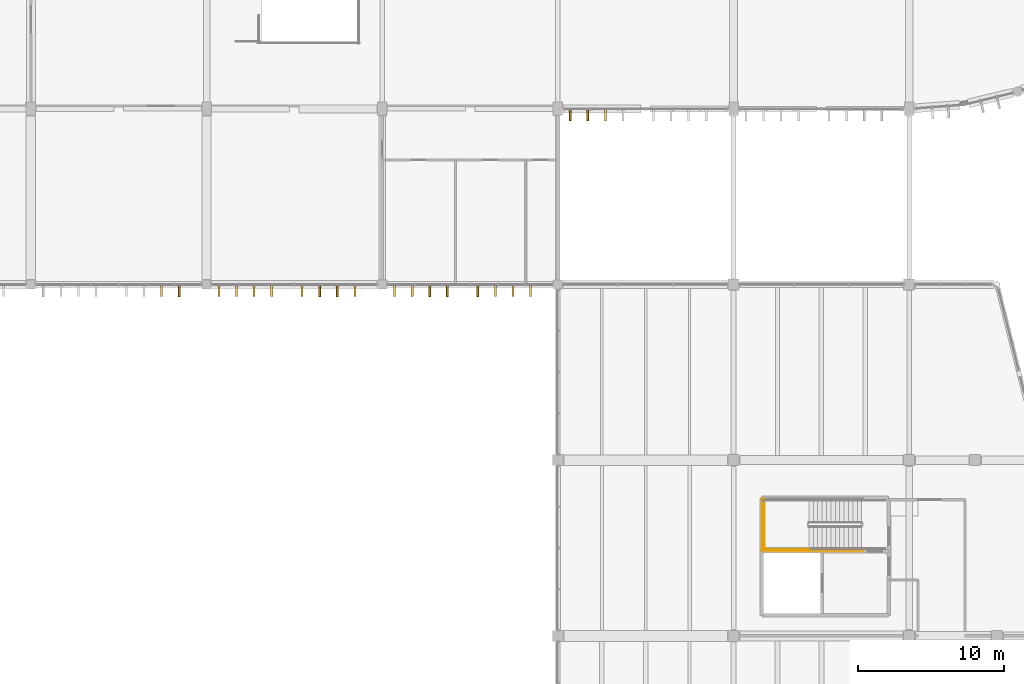
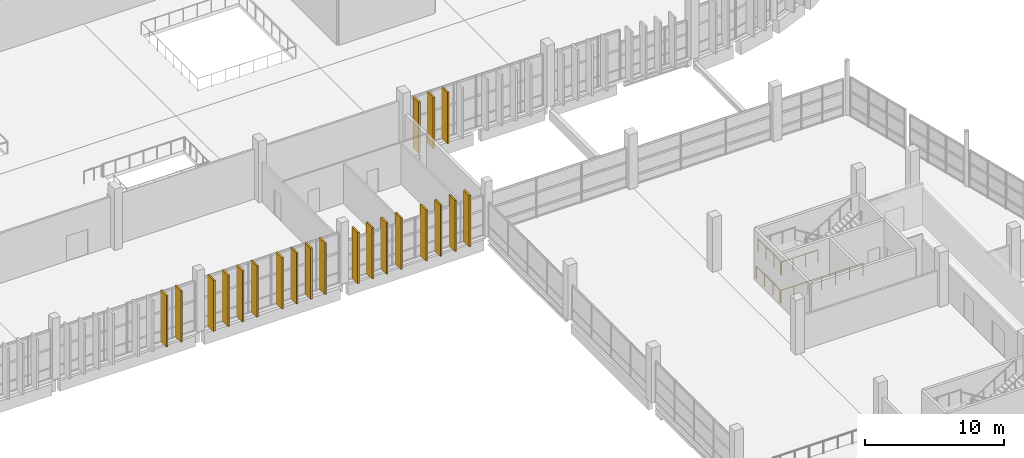
# One storey, part 107 of 112: 21 coverings, 4 railings.
"""IFC4 building model written with IfcOpenShell, lengths in metres."""

from ifc_helpers import new_model, si_unit, direction, frame, origin, origin_2d, place, context, subcontext, project, spatial, rectangle, circle, extrude, material, layer, layer_set, type_object, element, save


model = new_model("IFC4")

# Units and contexts
model_context = context("Model", 3, precision=1e-05, world=origin(), true_north=direction((0.0, 1.0)))
body_context = subcontext(model_context, "Body", "Model", "MODEL_VIEW")
ifc_project = project(units=[si_unit("LENGTHUNIT", "METRE"), si_unit("AREAUNIT", "SQUARE_METRE"), si_unit("VOLUMEUNIT", "CUBIC_METRE"), si_unit("PLANEANGLEUNIT", "RADIAN"), si_unit("MASSUNIT", "GRAM", prefix="KILO")], contexts=[model_context])

# Site, building, storey
site_placement = place(None, origin())
site = spatial("IfcSite", under=ifc_project, at=site_placement, CompositionType="ELEMENT")
building_placement = place(site_placement, origin())
building = spatial("IfcBuilding", under=site, at=building_placement, Name="Kamomehara Wholesale Market", CompositionType="ELEMENT")
storey_placement = place(building_placement, frame((0.0, 0.0, 6.60009765625)))
storey = spatial("IfcBuildingStorey", under=building, at=storey_placement, Name="L01", CompositionType="ELEMENT", Elevation=6.60009765625)

# Coverings
ifc_material_1 = material(Name="Anodised aluminium 6063-T5 Spectrum Red", Category="aluminium")
ifc_layer_1 = layer(ifc_material_1, 0.134033203125)
ifc_layer_set_1 = layer_set([ifc_layer_1], Name="Anodised aluminium 6063-T5 Spectrum Red")
covering_type_1 = type_object("IfcCoveringType", Name="COV-CLD-01", PredefinedType="CLADDING", material=ifc_layer_set_1)
for number, where, z_axis, x_axis, name in (
    (1, (130.1298828125, 95.594970703125, 0.0), (0.0, 0.0, 1.0), (1.0, 0.0, 0.0), "Polychrome spectrum fin S 92"),
    (2, (139.72998046875, 95.594970703125, 0.0), (0.0, 0.0, 1.0), (1.0, 0.0, 0.0), "Polychrome spectrum fin S 106"),
    (3, (147.25, 95.594970703125, 0.0), (0.0, 0.0, 1.0), (1.0, 0.0, 0.0), "Polychrome spectrum fin S 127"),
    (4, (156.85009765625, 107.594970703125, 0.0), (0.0, 0.0, 1.0), (1.0, 0.0, 0.0), "Polychrome spectrum fin S 141"),
):
    element("IfcCovering", number, at=place(storey_placement, frame(where, z_axis=z_axis, x_axis=x_axis)), inside=storey, type_object=covering_type_1, Name=name, PredefinedType="CLADDING", context=body_context, shape_type="SweptSolid", body=[
        extrude(rectangle(XDim=0.134033203125, YDim=0.85009765625, at=origin_2d()), origin(), (0.0, 0.0, 1.0), 4.5),
    ])
ifc_material_2 = material(Name="Anodised aluminium 6063-T5 Spectrum Orange", Category="aluminium")
ifc_layer_2 = layer(ifc_material_2, 0.135986328125)
ifc_layer_set_2 = layer_set([ifc_layer_2], Name="Anodised aluminium 6063-T5 Spectrum Orange")
covering_type_2 = type_object("IfcCoveringType", Name="COV-CLD-02", PredefinedType="CLADDING", material=ifc_layer_set_2)
for number, where, z_axis, x_axis, name in (
    (5, (140.929931640625, 95.594970703125, 0.0), (0.0, 0.0, 1.0), (1.0, 0.0, 0.0), "Polychrome spectrum fin S 107"),
    (6, (150.530029296875, 95.594970703125, 0.0), (0.0, 0.0, 1.0), (1.0, 0.0, 0.0), "Polychrome spectrum fin S 121"),
    (7, (148.449951171875, 95.594970703125, 0.0), (0.0, 0.0, 1.0), (1.0, 0.0, 0.0), "Polychrome spectrum fin S 128"),
    (8, (158.050048828125, 107.594970703125, 0.0), (0.0, 0.0, 1.0), (1.0, 0.0, 0.0), "Polychrome spectrum fin S 142"),
):
    element("IfcCovering", number, at=place(storey_placement, frame(where, z_axis=z_axis, x_axis=x_axis)), inside=storey, type_object=covering_type_2, Name=name, PredefinedType="CLADDING", context=body_context, shape_type="SweptSolid", body=[
        extrude(rectangle(XDim=0.135986328125, YDim=0.85009765625, at=origin_2d()), origin(), (0.0, 0.0, 1.0), 4.5),
    ])
ifc_material_3 = material(Name="Anodised aluminium 6063-T5 Spectrum Amber", Category="aluminium")
ifc_layer_3 = layer(ifc_material_3, 0.137939453125)
ifc_layer_set_3 = layer_set([ifc_layer_3], Name="Anodised aluminium 6063-T5 Spectrum Amber")
covering_type_3 = type_object("IfcCoveringType", Name="COV-CLD-03", PredefinedType="CLADDING", material=ifc_layer_set_3)
for number, where, z_axis, x_axis, name in (
    (9, (142.1298828125, 95.594970703125, 0.0), (0.0, 0.0, 1.0), (1.0, 0.0, 0.0), "Polychrome spectrum fin S 108"),
    (10, (151.72998046875, 95.594970703125, 0.0), (0.0, 0.0, 1.0), (1.0, 0.0, 0.0), "Polychrome spectrum fin S 122"),
    (11, (159.25, 107.594970703125, 0.0), (0.0, 0.0, 1.0), (1.0, 0.0, 0.0), "Polychrome spectrum fin S 143"),
):
    element("IfcCovering", number, at=place(storey_placement, frame(where, z_axis=z_axis, x_axis=x_axis)), inside=storey, type_object=covering_type_3, Name=name, PredefinedType="CLADDING", context=body_context, shape_type="SweptSolid", body=[
        extrude(rectangle(XDim=0.137939453125, YDim=0.85009765625, at=origin_2d()), origin(), (0.0, 0.0, 1.0), 4.5),
    ])
ifc_material_4 = material(Name="Anodised aluminium 6063-T5 Spectrum Green", Category="aluminium")
ifc_layer_4 = layer(ifc_material_4, 0.139892578125)
ifc_layer_set_4 = layer_set([ifc_layer_4], Name="Anodised aluminium 6063-T5 Spectrum Green")
covering_type_4 = type_object("IfcCoveringType", Name="COV-CLD-04", PredefinedType="CLADDING", material=ifc_layer_set_4)
for number, where, z_axis, x_axis, name in (
    (12, (132.85009765625, 95.594970703125, 0.0), (0.0, 0.0, 1.0), (1.0, 0.0, 0.0), "Polychrome spectrum fin S 109"),
    (13, (152.929931640625, 95.594970703125, 0.0), (0.0, 0.0, 1.0), (1.0, 0.0, 0.0), "Polychrome spectrum fin S 123"),
):
    element("IfcCovering", number, at=place(storey_placement, frame(where, z_axis=z_axis, x_axis=x_axis)), inside=storey, type_object=covering_type_4, Name=name, PredefinedType="CLADDING", context=body_context, shape_type="SweptSolid", body=[
        extrude(rectangle(XDim=0.139892578125, YDim=0.85009765625, at=origin_2d()), origin(), (0.0, 0.0, 1.0), 4.5),
    ])
ifc_material_5 = material(Name="Anodised aluminium 6063-T5 Spectrum Cyan", Category="aluminium")
ifc_layer_5 = layer(ifc_material_5, 0.14208984375)
ifc_layer_set_5 = layer_set([ifc_layer_5], Name="Anodised aluminium 6063-T5 Spectrum Cyan")
covering_type_5 = type_object("IfcCoveringType", Name="COV-CLD-05", PredefinedType="CLADDING", material=ifc_layer_set_5)
for number, where, z_axis, x_axis, name in (
    (14, (134.050048828125, 95.594970703125, 0.0), (0.0, 0.0, 1.0), (1.0, 0.0, 0.0), "Polychrome spectrum fin S 110"),
    (15, (154.1298828125, 95.594970703125, 0.0), (0.0, 0.0, 1.0), (1.0, 0.0, 0.0), "Polychrome spectrum fin S 124"),
):
    element("IfcCovering", number, at=place(storey_placement, frame(where, z_axis=z_axis, x_axis=x_axis)), inside=storey, type_object=covering_type_5, Name=name, PredefinedType="CLADDING", context=body_context, shape_type="SweptSolid", body=[
        extrude(rectangle(XDim=0.14208984375, YDim=0.85009765625, at=origin_2d()), origin(), (0.0, 0.0, 1.0), 4.5),
    ])
ifc_material_6 = material(Name="Anodised aluminium 6063-T5 Spectrum Blue", Category="aluminium")
ifc_layer_6 = layer(ifc_material_6, 0.14404296875)
ifc_layer_set_6 = layer_set([ifc_layer_6], Name="Anodised aluminium 6063-T5 Spectrum Blue")
covering_type_6 = type_object("IfcCoveringType", Name="COV-CLD-06", PredefinedType="CLADDING", material=ifc_layer_set_6)
for number, where, z_axis, x_axis, name in (
    (16, (135.25, 95.594970703125, 0.0), (0.0, 0.0, 1.0), (1.0, 0.0, 0.0), "Polychrome spectrum fin S 111"),
    (17, (144.85009765625, 95.594970703125, 0.0), (0.0, 0.0, 1.0), (1.0, 0.0, 0.0), "Polychrome spectrum fin S 125"),
):
    element("IfcCovering", number, at=place(storey_placement, frame(where, z_axis=z_axis, x_axis=x_axis)), inside=storey, type_object=covering_type_6, Name=name, PredefinedType="CLADDING", context=body_context, shape_type="SweptSolid", body=[
        extrude(rectangle(XDim=0.14404296875, YDim=0.85009765625, at=origin_2d()), origin(), (0.0, 0.0, 1.0), 4.5),
    ])
ifc_material_7 = material(Name="Anodised aluminium 6063-T5 Spectrum Violet", Category="aluminium")
ifc_layer_7 = layer(ifc_material_7, 0.14599609375)
ifc_layer_set_7 = layer_set([ifc_layer_7], Name="Anodised aluminium 6063-T5 Spectrum Violet")
covering_type_7 = type_object("IfcCoveringType", Name="COV-CLD-07", PredefinedType="CLADDING", material=ifc_layer_set_7)
for number, where, z_axis, x_axis, name in (
    (18, (128.929931640625, 95.594970703125, 0.0), (0.0, 0.0, 1.0), (1.0, 0.0, 0.0), "Polychrome spectrum fin S 91"),
    (19, (138.530029296875, 95.594970703125, 0.0), (0.0, 0.0, 1.0), (1.0, 0.0, 0.0), "Polychrome spectrum fin S 105"),
    (20, (136.449951171875, 95.594970703125, 0.0), (0.0, 0.0, 1.0), (1.0, 0.0, 0.0), "Polychrome spectrum fin S 112"),
    (21, (146.050048828125, 95.594970703125, 0.0), (0.0, 0.0, 1.0), (1.0, 0.0, 0.0), "Polychrome spectrum fin S 126"),
):
    element("IfcCovering", number, at=place(storey_placement, frame(where, z_axis=z_axis, x_axis=x_axis)), inside=storey, type_object=covering_type_7, Name=name, PredefinedType="CLADDING", context=body_context, shape_type="SweptSolid", body=[
        extrude(rectangle(XDim=0.14599609375, YDim=0.85009765625, at=origin_2d()), origin(), (0.0, 0.0, 1.0), 4.5),
    ])

# Railings
ifc_material_8 = material(Name="Steel SN400B", Category="steel")
railing_type = type_object("IfcRailingType", Name="RAL-INT-1100", PredefinedType="BALUSTRADE", material=ifc_material_8)
railing_1_placement = place(storey_placement, frame((173.14990234375, 77.949951171875, 2.39990234375)))
element("IfcRailing", 22, at=railing_1_placement, inside=storey, type_object=railing_type, Name="L01 ST-09 stair guard 4", PredefinedType="BALUSTRADE", context=body_context, shape_type="SweptSolid", body=[
    extrude(circle(Radius=0.02392578125, at=origin_2d()), frame((0.0, 0.0, 1.09619140625), z_axis=(-1.0, 0.0, 0.0), x_axis=(0.0, -1.0, 0.0)), (0.0, 0.0, 1.0), 3.099853515625),
    extrude(circle(Radius=0.02099609375, at=origin_2d()), origin(), (0.0, 0.0, 1.0), 1.072021484375),
    extrude(circle(Radius=0.02099609375, at=origin_2d()), frame((-1.033203125, 0.0, 0.0)), (0.0, 0.0, 1.0), 1.072021484375),
    extrude(circle(Radius=0.02099609375, at=origin_2d()), frame((-2.066650390625, 0.0, 0.0)), (0.0, 0.0, 1.0), 1.072021484375),
    extrude(circle(Radius=0.02099609375, at=origin_2d()), frame((-3.099853515625, 0.0, 0.0)), (0.0, 0.0, 1.0), 1.072021484375),
])
railing_2_placement = place(storey_placement, frame((170.10009765625, 81.300048828125, 2.39990234375)))
element("IfcRailing", 23, at=railing_2_placement, inside=storey, type_object=railing_type, Name="L01 ST-09 stair guard 5", PredefinedType="BALUSTRADE", context=body_context, shape_type="SweptSolid", body=[
    extrude(circle(Radius=0.02392578125, at=origin_2d()), frame((0.0, 0.0, 1.09619140625), z_axis=(0.0, -1.0, 0.0), x_axis=(1.0, 0.0, 0.0)), (0.0, 0.0, 1.0), 3.400146484375),
    extrude(circle(Radius=0.02099609375, at=origin_2d()), origin(), (0.0, 0.0, 1.0), 1.072021484375),
    extrude(circle(Radius=0.02099609375, at=origin_2d()), frame((0.0, -1.13330078125, 0.0)), (0.0, 0.0, 1.0), 1.072021484375),
    extrude(circle(Radius=0.02099609375, at=origin_2d()), frame((0.0, -2.266845703125, 0.0)), (0.0, 0.0, 1.0), 1.072021484375),
    extrude(circle(Radius=0.02099609375, at=origin_2d()), frame((0.0, -3.400146484375, 0.0)), (0.0, 0.0, 1.0), 1.072021484375),
])
railing_3_placement = place(storey_placement, frame((176.85009765625, 77.85009765625, 0.0)))
element("IfcRailing", 24, at=railing_3_placement, inside=storey, type_object=railing_type, Name="L01 ST-09 stair guard 11", PredefinedType="BALUSTRADE", context=body_context, shape_type="SweptSolid", body=[
    extrude(circle(Radius=0.02392578125, at=origin_2d()), frame((0.0, 0.0, 1.09619140625), z_axis=(-1.0, 0.0, 0.0), x_axis=(0.0, -1.0, 0.0)), (0.0, 0.0, 1.0), 6.900146484375),
    extrude(circle(Radius=0.02099609375, at=origin_2d()), origin(), (0.0, 0.0, 1.0), 1.072021484375),
    extrude(circle(Radius=0.02099609375, at=origin_2d()), frame((-1.14990234375, 0.0, 0.0)), (0.0, 0.0, 1.0), 1.072021484375),
    extrude(circle(Radius=0.02099609375, at=origin_2d()), frame((-2.300048828125, 0.0, 0.0)), (0.0, 0.0, 1.0), 1.072021484375),
    extrude(circle(Radius=0.02099609375, at=origin_2d()), frame((-3.4501953125, 0.0, 0.0)), (0.0, 0.0, 1.0), 1.072021484375),
    extrude(circle(Radius=0.02099609375, at=origin_2d()), frame((-4.60009765625, 0.0, 0.0)), (0.0, 0.0, 1.0), 1.072021484375),
    extrude(circle(Radius=0.02099609375, at=origin_2d()), frame((-5.75, 0.0, 0.0)), (0.0, 0.0, 1.0), 1.072021484375),
    extrude(circle(Radius=0.02099609375, at=origin_2d()), frame((-6.900146484375, 0.0, 0.0)), (0.0, 0.0, 1.0), 1.072021484375),
])
railing_4_placement = place(storey_placement, frame((170.0, 81.39990234375, 0.0)))
element("IfcRailing", 25, at=railing_4_placement, inside=storey, type_object=railing_type, Name="L01 ST-09 stair guard 12", PredefinedType="BALUSTRADE", context=body_context, shape_type="SweptSolid", body=[
    extrude(circle(Radius=0.02392578125, at=origin_2d()), frame((0.0, 0.0, 1.09619140625), z_axis=(0.0, -1.0, 0.0), x_axis=(1.0, 0.0, 0.0)), (0.0, 0.0, 1.0), 3.599853515625),
    extrude(circle(Radius=0.02099609375, at=origin_2d()), origin(), (0.0, 0.0, 1.0), 1.072021484375),
    extrude(circle(Radius=0.02099609375, at=origin_2d()), frame((0.0, -1.199951171875, 0.0)), (0.0, 0.0, 1.0), 1.072021484375),
    extrude(circle(Radius=0.02099609375, at=origin_2d()), frame((0.0, -2.39990234375, 0.0)), (0.0, 0.0, 1.0), 1.072021484375),
    extrude(circle(Radius=0.02099609375, at=origin_2d()), frame((0.0, -3.599853515625, 0.0)), (0.0, 0.0, 1.0), 1.072021484375),
])

save(model, "model.ifc")
